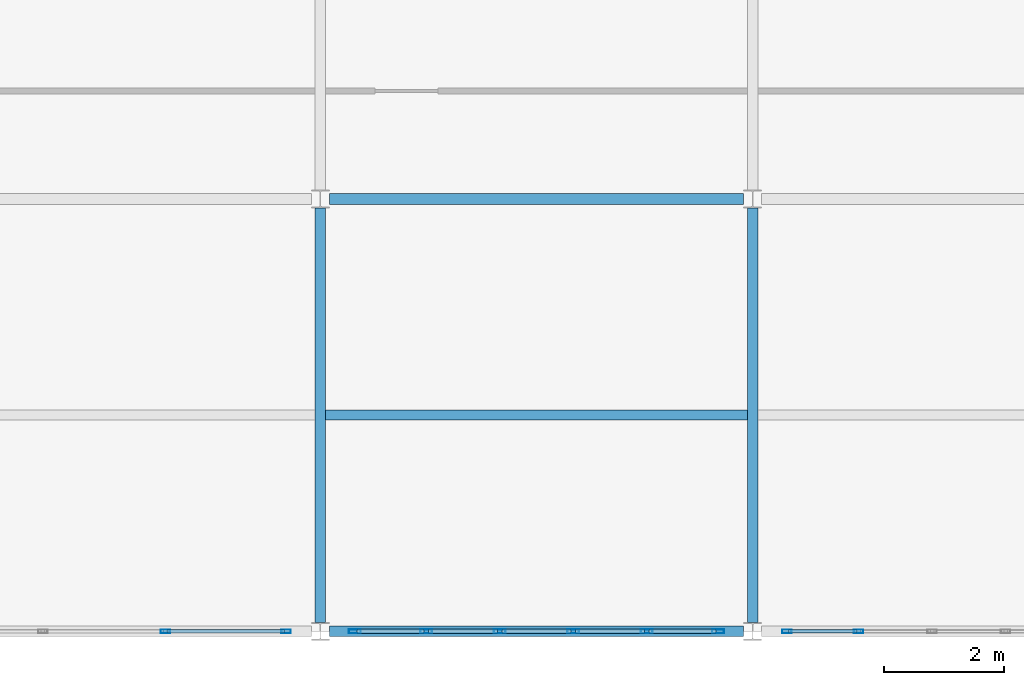
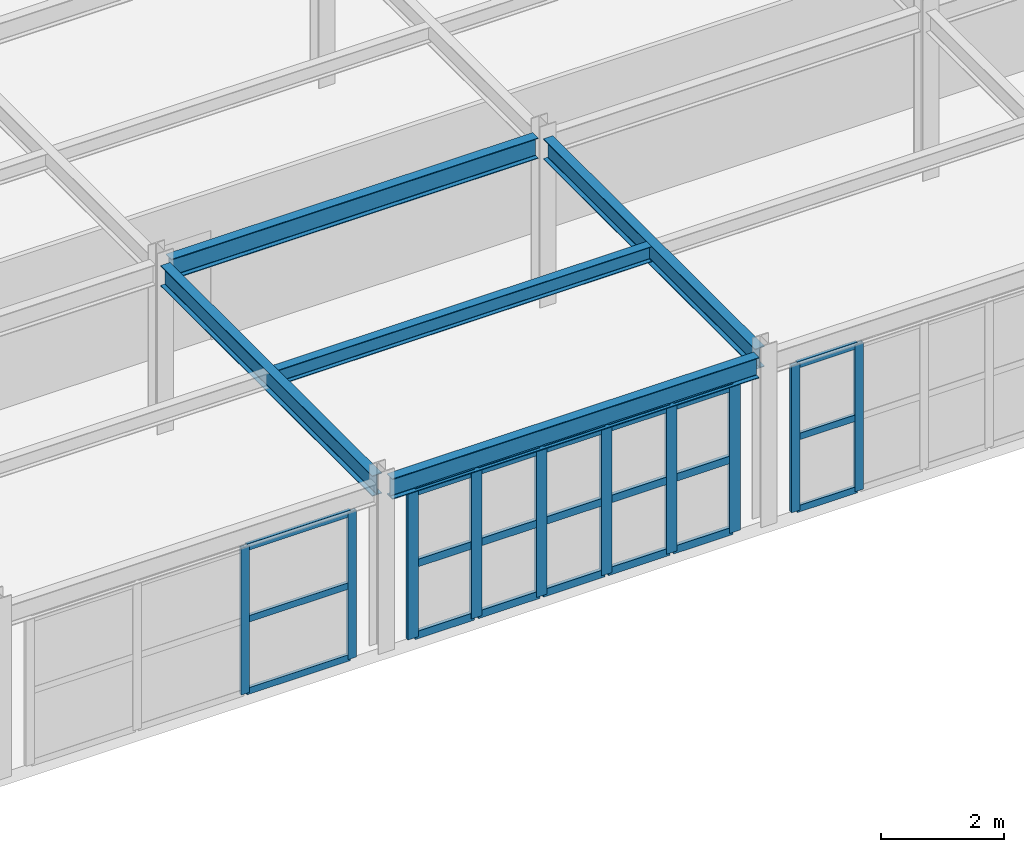
# One storey, part 26 of 73: 31 members, 5 beams, 3 elements without a shape of their own.
"""IFC4 building model written with IfcOpenShell, lengths in metres."""

from ifc_helpers import new_model, si_unit, direction, frame, origin, origin_2d, place, context, subcontext, project, spatial, hollow_rectangle, i_section, extrude, material, layer, layer_set, material_profile, profile_set, type_object, element, aggregate, save


model = new_model("IFC4")

# Units and contexts
model_context = context("Model", 3, precision=1e-05, world=origin(), true_north=direction((0.0, 1.0)))
body_context = subcontext(model_context, "Body", "Model", "MODEL_VIEW")
ifc_project = project(units=[si_unit("LENGTHUNIT", "METRE"), si_unit("AREAUNIT", "SQUARE_METRE"), si_unit("VOLUMEUNIT", "CUBIC_METRE"), si_unit("PLANEANGLEUNIT", "RADIAN"), si_unit("MASSUNIT", "GRAM", prefix="KILO")], contexts=[model_context])

# Site, building, storey
site_placement = place(None, origin())
site = spatial("IfcSite", under=ifc_project, at=site_placement, CompositionType="ELEMENT")
building_placement = place(site_placement, origin())
building = spatial("IfcBuilding", under=site, at=building_placement, Name="Carrowvane Square Congress Hotel", CompositionType="ELEMENT")
storey_placement = place(building_placement, frame((0.0, 0.0, 19.199951171875)))
storey = spatial("IfcBuildingStorey", under=building, at=storey_placement, Name="L04", CompositionType="ELEMENT", Elevation=19.199951171875)

# Beams
ifc_material_1 = material(Name="Steel S355", Category="steel")
ifc_material_profile_1 = material_profile(ifc_material_1, i_section(OverallWidth=0.165771484375, OverallDepth=0.306640625, WebThickness=0.006591796875, FlangeThickness=0.01171875, FilletRadius=0.0087890625, at=origin_2d()), Name="UKB 305x165x46")
ifc_profile_set_1 = profile_set([ifc_material_profile_1], Name="Steel S355")
beam_type_1 = type_object("IfcBeamType", Name="BM-ST-UKB305", PredefinedType="JOIST", material=ifc_profile_set_1)
beam_placement = place(storey_placement, frame((148.489501953125, 59.39990234375, 3.19677734375), z_axis=(1.0, 0.0, 0.0), x_axis=(0.0, 1.0, 0.0)))
element("IfcBeam", 1, at=beam_placement, inside=storey, type_object=beam_type_1, Name="L05 secondary joist 20-21", PredefinedType="JOIST", context=body_context, shape_type="SweptSolid", body=[
    extrude(i_section(OverallWidth=0.165771484375, OverallDepth=0.306640625, WebThickness=0.006591796875, FlangeThickness=0.01171875, FilletRadius=0.0087890625, at=origin_2d()), origin(), (0.0, 0.0, 1.0), 7.02099609375),
])
ifc_material_2 = material(Name="Steel S355", Category="steel")
ifc_material_profile_2 = material_profile(ifc_material_2, i_section(OverallWidth=0.1787109375, OverallDepth=0.409423828125, WebThickness=0.0087890625, FlangeThickness=0.014404296875, FilletRadius=0.01025390625, at=origin_2d()), Name="UKB 406x178x67")
ifc_profile_set_2 = profile_set([ifc_material_profile_2], Name="Steel S355")
beam_type_2 = type_object("IfcBeamType", Name="BM-ST-UKB406", PredefinedType="BEAM", material=ifc_profile_set_2)
for number, where, z_axis, x_axis, name in (
    (2, (148.550048828125, 55.800048828125, 3.145263671875), (1.0, 0.0, 0.0), (0.0, 1.0, 0.0), "L05 girder H/20-21"),
    (3, (148.550048828125, 63.0, 3.145263671875), (1.0, 0.0, 0.0), (0.0, 1.0, 0.0), "L05 girder J/20-21"),
):
    element("IfcBeam", number, at=place(storey_placement, frame(where, z_axis=z_axis, x_axis=x_axis)), inside=storey, type_object=beam_type_2, Name=name, PredefinedType="BEAM", context=body_context, shape_type="SweptSolid", body=[
        extrude(i_section(OverallWidth=0.1787109375, OverallDepth=0.409423828125, WebThickness=0.0087890625, FlangeThickness=0.014404296875, FilletRadius=0.01025390625, at=origin_2d()), origin(), (0.0, 0.0, 1.0), 6.89990234375),
    ])
for number, where, z_axis, x_axis, name in (
    (4, (148.39990234375, 55.949951171875, 3.145263671875), (0.0, 1.0, 0.0), (-1.0, 0.0, 0.0), "L05 girder 20/H-J"),
    (5, (155.60009765625, 55.949951171875, 3.145263671875), (0.0, 1.0, 0.0), (-1.0, 0.0, 0.0), "L05 girder 21/H-J"),
):
    element("IfcBeam", number, at=place(storey_placement, frame(where, z_axis=z_axis, x_axis=x_axis)), inside=storey, type_object=beam_type_2, Name=name, PredefinedType="BEAM", context=body_context, shape_type="SweptSolid", body=[
        extrude(i_section(OverallWidth=0.1787109375, OverallDepth=0.409423828125, WebThickness=0.0087890625, FlangeThickness=0.014404296875, FilletRadius=0.01025390625, at=origin_2d()), origin(), (0.0, 0.0, 1.0), 6.900146484375),
    ])

# Curtain wall, members
ifc_material_3 = material(Name="Anodised aluminium", Category="aluminium")
ifc_layer_1 = layer(ifc_material_3, 0.23388671875)
ifc_layer_set_1 = layer_set([ifc_layer_1], Name="Anodised aluminium")
curtain_wall_type_1 = type_object("IfcCurtainWallType", Name="CW-SYS-7", PredefinedType="NOTDEFINED", material=ifc_layer_set_1)
curtain_wall_1_placement = place(storey_placement, origin())
curtain_wall_1 = element("IfcCurtainWall", 6, at=curtain_wall_1_placement, inside=storey, type_object=curtain_wall_type_1, Name="L04 unitised curtain wall 302", PredefinedType="NOTDEFINED")
ifc_material_4 = material(Name="Anodised aluminium", Category="aluminium")
ifc_material_profile_3 = material_profile(ifc_material_4, hollow_rectangle(XDim=0.06005859375, YDim=0.159912109375, WallThickness=0.00390625, at=origin_2d()), Name="CW-ML 60x160x4")
ifc_profile_set_3 = profile_set([ifc_material_profile_3], Name="Anodised aluminium")
member_type_1 = type_object("IfcMemberType", Name="CW-MUL-1", PredefinedType="MULLION", material=ifc_profile_set_3)
member_1_placement = place(storey_placement, frame((157.364013671875, 55.800048828125, 0.0), z_axis=(0.0, 0.0, 1.0), x_axis=(0.0, -1.0, 0.0)))
member_1 = element("IfcMember", 7, at=member_1_placement, type_object=member_type_1, Name="CW-7 mullion 5", PredefinedType="MULLION", context=body_context, shape_type="SweptSolid", body=[
    extrude(hollow_rectangle(XDim=0.06005859375, YDim=0.159912109375, WallThickness=0.00390625, at=origin_2d()), origin(), (0.0, 0.0, 1.0), 2.925537109375),
])
member_2_placement = place(storey_placement, frame((156.169921875, 55.800048828125, 0.0), z_axis=(0.0, 0.0, 1.0), x_axis=(0.0, -1.0, 0.0)))
member_2 = element("IfcMember", 8, at=member_2_placement, type_object=member_type_1, Name="CW-7 mullion 6", PredefinedType="MULLION", context=body_context, shape_type="SweptSolid", body=[
    extrude(hollow_rectangle(XDim=0.06005859375, YDim=0.159912109375, WallThickness=0.00390625, at=origin_2d()), origin(), (0.0, 0.0, 1.0), 2.925537109375),
])

ifc_material_5 = material(Name="Anodised aluminium", Category="aluminium")
ifc_layer_2 = layer(ifc_material_5, 0.162109375)
ifc_layer_set_2 = layer_set([ifc_layer_2], Name="Anodised aluminium")
curtain_wall_type_2 = type_object("IfcCurtainWallType", Name="CW-SYS-1", PredefinedType="NOTDEFINED", material=ifc_layer_set_2)
curtain_wall_2_placement = place(storey_placement, origin())
curtain_wall_2 = element("IfcCurtainWall", 9, at=curtain_wall_2_placement, inside=storey, type_object=curtain_wall_type_2, Name="L04 unitised curtain wall 304", PredefinedType="NOTDEFINED")
member_3_placement = place(storey_placement, frame((147.830078125, 55.800048828125, 0.0), z_axis=(0.0, 0.0, 1.0), x_axis=(0.0, -1.0, 0.0)))
member_3 = element("IfcMember", 10, at=member_3_placement, type_object=member_type_1, Name="CW-1 mullion 1", PredefinedType="MULLION", context=body_context, shape_type="SweptSolid", body=[
    extrude(hollow_rectangle(XDim=0.06005859375, YDim=0.159912109375, WallThickness=0.00390625, at=origin_2d()), origin(), (0.0, 0.0, 1.0), 2.925537109375),
])
member_4_placement = place(storey_placement, frame((145.820068359375, 55.800048828125, 0.0), z_axis=(0.0, 0.0, 1.0), x_axis=(0.0, -1.0, 0.0)))
member_4 = element("IfcMember", 11, at=member_4_placement, type_object=member_type_1, Name="CW-1 mullion 2", PredefinedType="MULLION", context=body_context, shape_type="SweptSolid", body=[
    extrude(hollow_rectangle(XDim=0.06005859375, YDim=0.159912109375, WallThickness=0.00390625, at=origin_2d()), origin(), (0.0, 0.0, 1.0), 2.925537109375),
])

ifc_material_6 = material(Name="Anodised aluminium", Category="aluminium")
ifc_layer_3 = layer(ifc_material_6, 0.24609375)
ifc_layer_set_3 = layer_set([ifc_layer_3], Name="Anodised aluminium")
curtain_wall_type_3 = type_object("IfcCurtainWallType", Name="CW-SYS-8", PredefinedType="NOTDEFINED", material=ifc_layer_set_3)
curtain_wall_3_placement = place(storey_placement, origin())
curtain_wall_3 = element("IfcCurtainWall", 12, at=curtain_wall_3_placement, inside=storey, type_object=curtain_wall_type_3, Name="L04 unitised curtain wall 303", PredefinedType="NOTDEFINED")
ifc_material_7 = material(Name="Anodised aluminium", Category="aluminium")
ifc_material_profile_4 = material_profile(ifc_material_7, hollow_rectangle(XDim=0.070068359375, YDim=0.199951171875, WallThickness=0.0048828125, at=origin_2d()), Name="CW-ML 70x200x5")
ifc_profile_set_4 = profile_set([ifc_material_profile_4], Name="Anodised aluminium")
member_type_2 = type_object("IfcMemberType", Name="CW-MUL-2", PredefinedType="MULLION", material=ifc_profile_set_4)
member_5_placement = place(storey_placement, frame((155.02490234375, 55.800048828125, 0.0), z_axis=(0.0, 0.0, 1.0), x_axis=(0.0, -1.0, 0.0)))
member_5 = element("IfcMember", 13, at=member_5_placement, type_object=member_type_2, Name="CW-8 mullion 1", PredefinedType="MULLION", context=body_context, shape_type="SweptSolid", body=[
    extrude(hollow_rectangle(XDim=0.070068359375, YDim=0.199951171875, WallThickness=0.0048828125, at=origin_2d()), origin(), (0.0, 0.0, 1.0), 2.925537109375),
])
member_6_placement = place(storey_placement, frame((153.8359375, 55.800048828125, 0.0), z_axis=(0.0, 0.0, 1.0), x_axis=(0.0, -1.0, 0.0)))
member_6 = element("IfcMember", 14, at=member_6_placement, type_object=member_type_2, Name="CW-8 mullion 2", PredefinedType="MULLION", context=body_context, shape_type="SweptSolid", body=[
    extrude(hollow_rectangle(XDim=0.070068359375, YDim=0.199951171875, WallThickness=0.0048828125, at=origin_2d()), origin(), (0.0, 0.0, 1.0), 2.925537109375),
])
member_7_placement = place(storey_placement, frame((152.612060546875, 55.800048828125, 0.0), z_axis=(0.0, 0.0, 1.0), x_axis=(0.0, -1.0, 0.0)))
member_7 = element("IfcMember", 15, at=member_7_placement, type_object=member_type_2, Name="CW-8 mullion 3", PredefinedType="MULLION", context=body_context, shape_type="SweptSolid", body=[
    extrude(hollow_rectangle(XDim=0.070068359375, YDim=0.199951171875, WallThickness=0.0048828125, at=origin_2d()), origin(), (0.0, 0.0, 1.0), 2.925537109375),
])
member_8_placement = place(storey_placement, frame((151.387939453125, 55.800048828125, 0.0), z_axis=(0.0, 0.0, 1.0), x_axis=(0.0, -1.0, 0.0)))
member_8 = element("IfcMember", 16, at=member_8_placement, type_object=member_type_2, Name="CW-8 mullion 4", PredefinedType="MULLION", context=body_context, shape_type="SweptSolid", body=[
    extrude(hollow_rectangle(XDim=0.070068359375, YDim=0.199951171875, WallThickness=0.0048828125, at=origin_2d()), origin(), (0.0, 0.0, 1.0), 2.925537109375),
])
member_9_placement = place(storey_placement, frame((150.1640625, 55.800048828125, 0.0), z_axis=(0.0, 0.0, 1.0), x_axis=(0.0, -1.0, 0.0)))
member_9 = element("IfcMember", 17, at=member_9_placement, type_object=member_type_2, Name="CW-8 mullion 5", PredefinedType="MULLION", context=body_context, shape_type="SweptSolid", body=[
    extrude(hollow_rectangle(XDim=0.070068359375, YDim=0.199951171875, WallThickness=0.0048828125, at=origin_2d()), origin(), (0.0, 0.0, 1.0), 2.925537109375),
])
member_10_placement = place(storey_placement, frame((148.97509765625, 55.800048828125, 0.0), z_axis=(0.0, 0.0, 1.0), x_axis=(0.0, -1.0, 0.0)))
member_10 = element("IfcMember", 18, at=member_10_placement, type_object=member_type_2, Name="CW-8 mullion 6", PredefinedType="MULLION", context=body_context, shape_type="SweptSolid", body=[
    extrude(hollow_rectangle(XDim=0.070068359375, YDim=0.199951171875, WallThickness=0.0048828125, at=origin_2d()), origin(), (0.0, 0.0, 1.0), 2.925537109375),
])

# Member
ifc_material_8 = material(Name="Anodised aluminium", Category="aluminium")
ifc_material_profile_5 = material_profile(ifc_material_8, hollow_rectangle(XDim=0.06005859375, YDim=0.1298828125, WallThickness=0.00390625, at=origin_2d()), Name="CW-TR 60x130x4")
ifc_profile_set_5 = profile_set([ifc_material_profile_5], Name="Anodised aluminium")
member_type_3 = type_object("IfcMemberType", Name="CW-TRN-1", PredefinedType="USERDEFINED", material=ifc_profile_set_5)
member_11_placement = place(storey_placement, frame((157.333984375, 55.800048828125, 0.030029296875), z_axis=(-1.0, 0.0, 0.0), x_axis=(0.0, -1.0, 0.0)))
member_11 = element("IfcMember", 19, at=member_11_placement, type_object=member_type_3, Name="CW-7 transom 5.1", ObjectType="TRANSOM", PredefinedType="USERDEFINED", context=body_context, shape_type="SweptSolid", body=[
    extrude(hollow_rectangle(XDim=0.06005859375, YDim=0.1298828125, WallThickness=0.00390625, at=origin_2d()), origin(), (0.0, 0.0, 1.0), 1.134033203125),
])

member_12_placement = place(storey_placement, frame((157.333984375, 55.800048828125, 1.462890625), z_axis=(-1.0, 0.0, 0.0), x_axis=(0.0, -1.0, 0.0)))
member_12 = element("IfcMember", 20, at=member_12_placement, type_object=member_type_3, Name="CW-7 transom 5.2", ObjectType="TRANSOM", PredefinedType="USERDEFINED", context=body_context, shape_type="SweptSolid", body=[
    extrude(hollow_rectangle(XDim=0.06005859375, YDim=0.1298828125, WallThickness=0.00390625, at=origin_2d()), origin(), (0.0, 0.0, 1.0), 1.134033203125),
])

member_13_placement = place(storey_placement, frame((157.333984375, 55.800048828125, 2.895751953125), z_axis=(-1.0, 0.0, 0.0), x_axis=(0.0, -1.0, 0.0)))
member_13 = element("IfcMember", 21, at=member_13_placement, type_object=member_type_3, Name="CW-7 transom 5.3", ObjectType="TRANSOM", PredefinedType="USERDEFINED", context=body_context, shape_type="SweptSolid", body=[
    extrude(hollow_rectangle(XDim=0.06005859375, YDim=0.1298828125, WallThickness=0.00390625, at=origin_2d()), origin(), (0.0, 0.0, 1.0), 1.134033203125),
])

aggregate(curtain_wall_1, [member_1, member_2, member_11, member_12, member_13])

member_14_placement = place(storey_placement, frame((147.800048828125, 55.800048828125, 0.030029296875), z_axis=(-1.0, 0.0, 0.0), x_axis=(0.0, -1.0, 0.0)))
member_14 = element("IfcMember", 22, at=member_14_placement, type_object=member_type_3, Name="CW-1 transom 1.1", ObjectType="TRANSOM", PredefinedType="USERDEFINED", context=body_context, shape_type="SweptSolid", body=[
    extrude(hollow_rectangle(XDim=0.06005859375, YDim=0.1298828125, WallThickness=0.00390625, at=origin_2d()), origin(), (0.0, 0.0, 1.0), 1.949951171875),
])

member_15_placement = place(storey_placement, frame((147.800048828125, 55.800048828125, 1.462890625), z_axis=(-1.0, 0.0, 0.0), x_axis=(0.0, -1.0, 0.0)))
member_15 = element("IfcMember", 23, at=member_15_placement, type_object=member_type_3, Name="CW-1 transom 1.2", ObjectType="TRANSOM", PredefinedType="USERDEFINED", context=body_context, shape_type="SweptSolid", body=[
    extrude(hollow_rectangle(XDim=0.06005859375, YDim=0.1298828125, WallThickness=0.00390625, at=origin_2d()), origin(), (0.0, 0.0, 1.0), 1.949951171875),
])

member_16_placement = place(storey_placement, frame((147.800048828125, 55.800048828125, 2.895751953125), z_axis=(-1.0, 0.0, 0.0), x_axis=(0.0, -1.0, 0.0)))
member_16 = element("IfcMember", 24, at=member_16_placement, type_object=member_type_3, Name="CW-1 transom 1.3", ObjectType="TRANSOM", PredefinedType="USERDEFINED", context=body_context, shape_type="SweptSolid", body=[
    extrude(hollow_rectangle(XDim=0.06005859375, YDim=0.1298828125, WallThickness=0.00390625, at=origin_2d()), origin(), (0.0, 0.0, 1.0), 1.949951171875),
])

aggregate(curtain_wall_2, [member_3, member_4, member_14, member_15, member_16])

ifc_material_9 = material(Name="Anodised aluminium", Category="aluminium")
ifc_material_profile_6 = material_profile(ifc_material_9, hollow_rectangle(XDim=0.070068359375, YDim=0.14990234375, WallThickness=0.0048828125, at=origin_2d()), Name="CW-TR 70x150x5")
ifc_profile_set_6 = profile_set([ifc_material_profile_6], Name="Anodised aluminium")
member_type_4 = type_object("IfcMemberType", Name="CW-TRN-2", PredefinedType="USERDEFINED", material=ifc_profile_set_6)
member_17_placement = place(storey_placement, frame((154.989990234375, 55.800048828125, 0.03515625), z_axis=(-1.0, 0.0, 0.0), x_axis=(0.0, -1.0, 0.0)))
member_17 = element("IfcMember", 25, at=member_17_placement, type_object=member_type_4, Name="CW-8 transom 1.1", ObjectType="TRANSOM", PredefinedType="USERDEFINED", context=body_context, shape_type="SweptSolid", body=[
    extrude(hollow_rectangle(XDim=0.070068359375, YDim=0.14990234375, WallThickness=0.0048828125, at=origin_2d()), origin(), (0.0, 0.0, 1.0), 1.118896484375),
])

member_18_placement = place(storey_placement, frame((154.989990234375, 55.800048828125, 1.462890625), z_axis=(-1.0, 0.0, 0.0), x_axis=(0.0, -1.0, 0.0)))
member_18 = element("IfcMember", 26, at=member_18_placement, type_object=member_type_4, Name="CW-8 transom 1.2", ObjectType="TRANSOM", PredefinedType="USERDEFINED", context=body_context, shape_type="SweptSolid", body=[
    extrude(hollow_rectangle(XDim=0.070068359375, YDim=0.14990234375, WallThickness=0.0048828125, at=origin_2d()), origin(), (0.0, 0.0, 1.0), 1.118896484375),
])

member_19_placement = place(storey_placement, frame((154.989990234375, 55.800048828125, 2.890625), z_axis=(-1.0, 0.0, 0.0), x_axis=(0.0, -1.0, 0.0)))
member_19 = element("IfcMember", 27, at=member_19_placement, type_object=member_type_4, Name="CW-8 transom 1.3", ObjectType="TRANSOM", PredefinedType="USERDEFINED", context=body_context, shape_type="SweptSolid", body=[
    extrude(hollow_rectangle(XDim=0.070068359375, YDim=0.14990234375, WallThickness=0.0048828125, at=origin_2d()), origin(), (0.0, 0.0, 1.0), 1.118896484375),
])

member_20_placement = place(storey_placement, frame((153.801025390625, 55.800048828125, 0.03515625), z_axis=(-1.0, 0.0, 0.0), x_axis=(0.0, -1.0, 0.0)))
member_20 = element("IfcMember", 28, at=member_20_placement, type_object=member_type_4, Name="CW-8 transom 2.1", ObjectType="TRANSOM", PredefinedType="USERDEFINED", context=body_context, shape_type="SweptSolid", body=[
    extrude(hollow_rectangle(XDim=0.070068359375, YDim=0.14990234375, WallThickness=0.0048828125, at=origin_2d()), origin(), (0.0, 0.0, 1.0), 1.154052734375),
])

member_21_placement = place(storey_placement, frame((153.801025390625, 55.800048828125, 1.462890625), z_axis=(-1.0, 0.0, 0.0), x_axis=(0.0, -1.0, 0.0)))
member_21 = element("IfcMember", 29, at=member_21_placement, type_object=member_type_4, Name="CW-8 transom 2.2", ObjectType="TRANSOM", PredefinedType="USERDEFINED", context=body_context, shape_type="SweptSolid", body=[
    extrude(hollow_rectangle(XDim=0.070068359375, YDim=0.14990234375, WallThickness=0.0048828125, at=origin_2d()), origin(), (0.0, 0.0, 1.0), 1.154052734375),
])

member_22_placement = place(storey_placement, frame((153.801025390625, 55.800048828125, 2.890625), z_axis=(-1.0, 0.0, 0.0), x_axis=(0.0, -1.0, 0.0)))
member_22 = element("IfcMember", 30, at=member_22_placement, type_object=member_type_4, Name="CW-8 transom 2.3", ObjectType="TRANSOM", PredefinedType="USERDEFINED", context=body_context, shape_type="SweptSolid", body=[
    extrude(hollow_rectangle(XDim=0.070068359375, YDim=0.14990234375, WallThickness=0.0048828125, at=origin_2d()), origin(), (0.0, 0.0, 1.0), 1.154052734375),
])

member_23_placement = place(storey_placement, frame((152.576904296875, 55.800048828125, 0.03515625), z_axis=(-1.0, 0.0, 0.0), x_axis=(0.0, -1.0, 0.0)))
member_23 = element("IfcMember", 31, at=member_23_placement, type_object=member_type_4, Name="CW-8 transom 3.1", ObjectType="TRANSOM", PredefinedType="USERDEFINED", context=body_context, shape_type="SweptSolid", body=[
    extrude(hollow_rectangle(XDim=0.070068359375, YDim=0.14990234375, WallThickness=0.0048828125, at=origin_2d()), origin(), (0.0, 0.0, 1.0), 1.15380859375),
])

member_24_placement = place(storey_placement, frame((152.576904296875, 55.800048828125, 1.462890625), z_axis=(-1.0, 0.0, 0.0), x_axis=(0.0, -1.0, 0.0)))
member_24 = element("IfcMember", 32, at=member_24_placement, type_object=member_type_4, Name="CW-8 transom 3.2", ObjectType="TRANSOM", PredefinedType="USERDEFINED", context=body_context, shape_type="SweptSolid", body=[
    extrude(hollow_rectangle(XDim=0.070068359375, YDim=0.14990234375, WallThickness=0.0048828125, at=origin_2d()), origin(), (0.0, 0.0, 1.0), 1.15380859375),
])

member_25_placement = place(storey_placement, frame((152.576904296875, 55.800048828125, 2.890625), z_axis=(-1.0, 0.0, 0.0), x_axis=(0.0, -1.0, 0.0)))
member_25 = element("IfcMember", 33, at=member_25_placement, type_object=member_type_4, Name="CW-8 transom 3.3", ObjectType="TRANSOM", PredefinedType="USERDEFINED", context=body_context, shape_type="SweptSolid", body=[
    extrude(hollow_rectangle(XDim=0.070068359375, YDim=0.14990234375, WallThickness=0.0048828125, at=origin_2d()), origin(), (0.0, 0.0, 1.0), 1.15380859375),
])

member_26_placement = place(storey_placement, frame((151.35302734375, 55.800048828125, 0.03515625), z_axis=(-1.0, 0.0, 0.0), x_axis=(0.0, -1.0, 0.0)))
member_26 = element("IfcMember", 34, at=member_26_placement, type_object=member_type_4, Name="CW-8 transom 4.1", ObjectType="TRANSOM", PredefinedType="USERDEFINED", context=body_context, shape_type="SweptSolid", body=[
    extrude(hollow_rectangle(XDim=0.070068359375, YDim=0.14990234375, WallThickness=0.0048828125, at=origin_2d()), origin(), (0.0, 0.0, 1.0), 1.154052734375),
])

member_27_placement = place(storey_placement, frame((151.35302734375, 55.800048828125, 1.462890625), z_axis=(-1.0, 0.0, 0.0), x_axis=(0.0, -1.0, 0.0)))
member_27 = element("IfcMember", 35, at=member_27_placement, type_object=member_type_4, Name="CW-8 transom 4.2", ObjectType="TRANSOM", PredefinedType="USERDEFINED", context=body_context, shape_type="SweptSolid", body=[
    extrude(hollow_rectangle(XDim=0.070068359375, YDim=0.14990234375, WallThickness=0.0048828125, at=origin_2d()), origin(), (0.0, 0.0, 1.0), 1.154052734375),
])

member_28_placement = place(storey_placement, frame((151.35302734375, 55.800048828125, 2.890625), z_axis=(-1.0, 0.0, 0.0), x_axis=(0.0, -1.0, 0.0)))
member_28 = element("IfcMember", 36, at=member_28_placement, type_object=member_type_4, Name="CW-8 transom 4.3", ObjectType="TRANSOM", PredefinedType="USERDEFINED", context=body_context, shape_type="SweptSolid", body=[
    extrude(hollow_rectangle(XDim=0.070068359375, YDim=0.14990234375, WallThickness=0.0048828125, at=origin_2d()), origin(), (0.0, 0.0, 1.0), 1.154052734375),
])

member_29_placement = place(storey_placement, frame((150.12890625, 55.800048828125, 0.03515625), z_axis=(-1.0, 0.0, 0.0), x_axis=(0.0, -1.0, 0.0)))
member_29 = element("IfcMember", 37, at=member_29_placement, type_object=member_type_4, Name="CW-8 transom 5.1", ObjectType="TRANSOM", PredefinedType="USERDEFINED", context=body_context, shape_type="SweptSolid", body=[
    extrude(hollow_rectangle(XDim=0.070068359375, YDim=0.14990234375, WallThickness=0.0048828125, at=origin_2d()), origin(), (0.0, 0.0, 1.0), 1.118896484375),
])

member_30_placement = place(storey_placement, frame((150.12890625, 55.800048828125, 1.462890625), z_axis=(-1.0, 0.0, 0.0), x_axis=(0.0, -1.0, 0.0)))
member_30 = element("IfcMember", 38, at=member_30_placement, type_object=member_type_4, Name="CW-8 transom 5.2", ObjectType="TRANSOM", PredefinedType="USERDEFINED", context=body_context, shape_type="SweptSolid", body=[
    extrude(hollow_rectangle(XDim=0.070068359375, YDim=0.14990234375, WallThickness=0.0048828125, at=origin_2d()), origin(), (0.0, 0.0, 1.0), 1.118896484375),
])

member_31_placement = place(storey_placement, frame((150.12890625, 55.800048828125, 2.890625), z_axis=(-1.0, 0.0, 0.0), x_axis=(0.0, -1.0, 0.0)))
member_31 = element("IfcMember", 39, at=member_31_placement, type_object=member_type_4, Name="CW-8 transom 5.3", ObjectType="TRANSOM", PredefinedType="USERDEFINED", context=body_context, shape_type="SweptSolid", body=[
    extrude(hollow_rectangle(XDim=0.070068359375, YDim=0.14990234375, WallThickness=0.0048828125, at=origin_2d()), origin(), (0.0, 0.0, 1.0), 1.118896484375),
])

aggregate(curtain_wall_3, [member_5, member_6, member_7, member_8, member_9, member_10, member_17, member_18, member_19, member_20, member_21, member_22, member_23, member_24, member_25, member_26, member_27, member_28, member_29, member_30, member_31])

save(model, "model.ifc")
